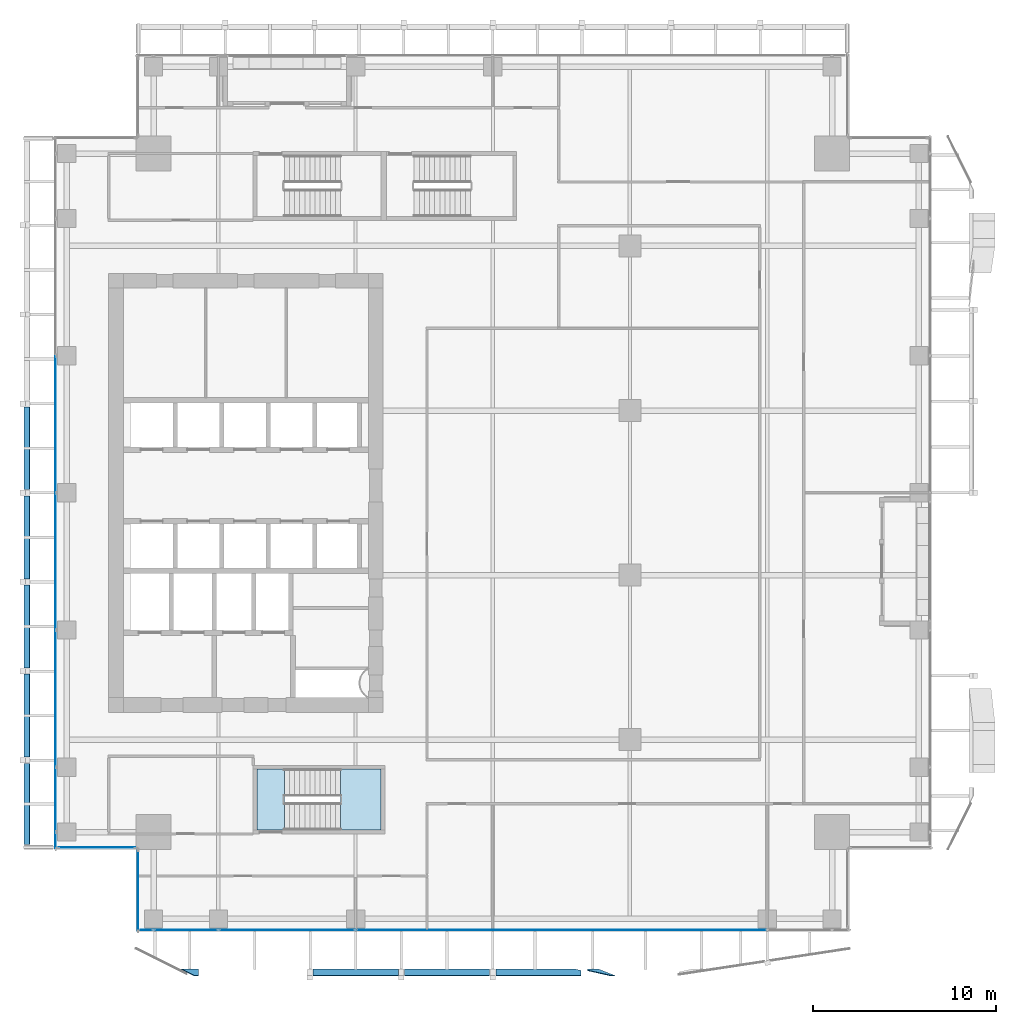
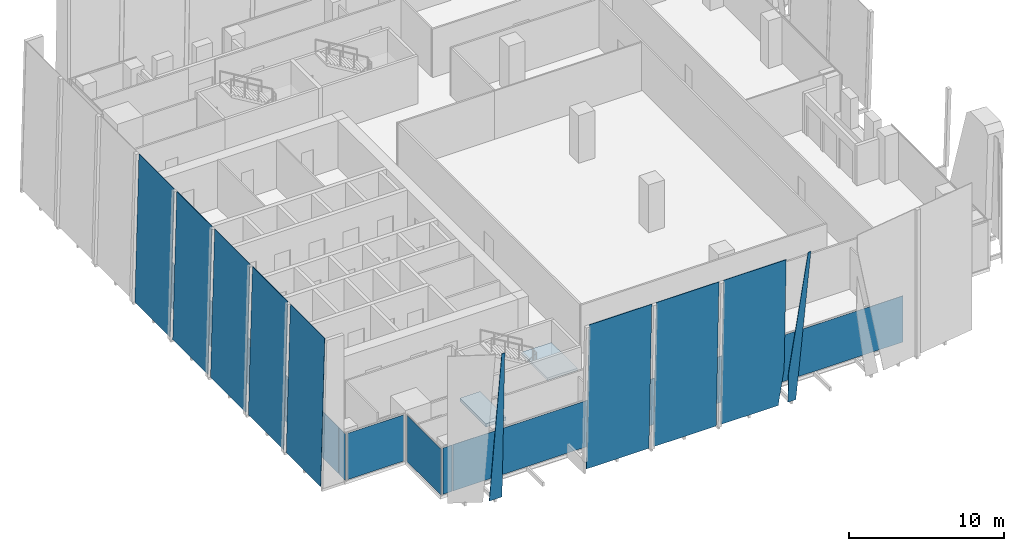
# One storey, part 23 of 35: 21 plates, 2 slabs, 5 elements without a shape of their own.
"""IFC4 building model written with IfcOpenShell, lengths in metres."""

from ifc_helpers import new_model, si_unit, direction, frame, origin, origin_2d, place, context, subcontext, project, spatial, polyline, rectangle, outline, extrude, source, transform, mapped, material, layer, layer_set, type_object, element, aggregate, save


model = new_model("IFC4")

# Units and contexts
model_context = context("Model", 3, precision=1e-05, world=origin(), true_north=direction((0.0, 1.0)))
body_context = subcontext(model_context, "Body", "Model", "MODEL_VIEW")
ifc_project = project(units=[si_unit("LENGTHUNIT", "METRE"), si_unit("AREAUNIT", "SQUARE_METRE"), si_unit("VOLUMEUNIT", "CUBIC_METRE"), si_unit("PLANEANGLEUNIT", "RADIAN"), si_unit("MASSUNIT", "GRAM", prefix="KILO")], contexts=[model_context])

# Site, building, storey
site_placement = place(None, origin())
site = spatial("IfcSite", under=ifc_project, at=site_placement, CompositionType="ELEMENT")
building_placement = place(site_placement, origin())
building = spatial("IfcBuilding", under=site, at=building_placement, Name="Khomas Fold Tower", CompositionType="ELEMENT")
storey_placement = place(building_placement, frame((0.0, 0.0, 200.699951171875)))
storey = spatial("IfcBuildingStorey", under=building, at=storey_placement, Name="L44", CompositionType="ELEMENT", Elevation=200.699951171875)

# Plates
ifc_material_1 = material(Name="Clear laminated glass", Category="glass")
ifc_layer_1 = layer(ifc_material_1, 0.0400390625)
ifc_layer_set_1 = layer_set([ifc_layer_1], Name="Clear laminated glass")
plate_type_1 = type_object("IfcPlateType", Name="SK-Clear laminated glass leaf", PredefinedType="SHEET", material=ifc_layer_set_1)
plate_1_placement = place(storey_placement, frame((10.89990234375, 0.97314453125, 0.0), z_axis=(0.0, 0.999510363794, 0.031289497744), x_axis=(-1.0, 0.0, 0.0)))
element("IfcPlate", 1, at=plate_1_placement, inside=storey, type_object=plate_type_1, Name="OUTER SKIN glass L44 SG099-1", PredefinedType="SHEET", context=body_context, shape_type="SweptSolid", body=[
    extrude(outline(polyline([(0.0, 0.0), (0.945556640625, 0.0), (0.222412109375, 11.555706920623285), (0.0, 11.555706920623285), (0.0, 0.0)])), origin(), (0.0, 0.0, -1.0), 0.0400390625),
])
plate_2_placement = place(storey_placement, frame((32.75146484375, 0.97314453125, 0.0), z_axis=(-4.6493361e-05, 0.999510199681, 0.031294705162), x_axis=(-0.999999998919, -4.6470589e-05, -1.454996e-06)))
element("IfcPlate", 2, at=plate_2_placement, inside=storey, type_object=plate_type_1, Name="OUTER SKIN glass L44 SG104-3", PredefinedType="SHEET", context=body_context, shape_type="SweptSolid", body=[
    extrude(outline(polyline([(0.0, 0.0), (0.5815429681214589, 0.0), (0.5815429698176228, 2.315832700406469), (-0.7133789082781139, 11.555706920466452), (-0.9165039080585731, 11.555706920466452), (0.0, 0.0)])), origin(), (0.0, 0.0, -1.0), 0.0400390625),
])
for number, where, z_axis, x_axis, name in (
    (3, (17.169921875, 0.97314453125, 0.0), (0.0, 0.999510363794, 0.031289497744), (0.0, -0.031289497744, 0.999510363794), "OUTER SKIN glass L44 SG101-5"),
    (4, (22.169921875, 0.97314453125, 0.0), (0.0, 0.999510363794, 0.031289497744), (0.0, -0.031289497744, 0.999510363794), "OUTER SKIN glass L44 SG102-7"),
):
    element("IfcPlate", number, at=place(storey_placement, frame(where, z_axis=z_axis, x_axis=x_axis)), inside=storey, type_object=plate_type_1, Name=name, PredefinedType="SHEET", context=body_context, shape_type="SweptSolid", body=[
        extrude(outline(polyline([(0.0, 0.0), (11.555706920623285, 0.0), (11.555706920623285, 4.66015625), (0.0, 4.66015625), (0.0, 0.0)])), origin(), (0.0, 0.0, -1.0), 0.0400390625),
    ])
plate_3_placement = place(storey_placement, frame((31.44140625, 0.97314453125, 0.0), z_axis=(1.9909684e-05, 0.999510384548, 0.031288828411), x_axis=(-0.999999999802, 1.9899936e-05, 6.22951e-07)))
element("IfcPlate", 5, at=plate_3_placement, inside=storey, type_object=plate_type_1, Name="OUTER SKIN glass L44 SG103-9", PredefinedType="SHEET", context=body_context, shape_type="SweptSolid", body=[
    extrude(outline(polyline([(0.0, 0.0), (4.271484374153402, 0.0), (4.271484373999334, 11.555706920620695), (-0.38867187507703393, 11.555706920620695), (-0.38867187861749614, 2.771870768803917), (0.0, 0.0)])), origin(), (0.0, 0.0, -1.0), 0.0400390625),
])
plate_4_placement = place(storey_placement, frame((1.357666015625, 7.77001953125, 0.0009765625), z_axis=(-0.999657230839, 0.0, 0.026180543005), x_axis=(0.0, 1.0, 0.0)))
element("IfcPlate", 6, at=plate_4_placement, inside=storey, type_object=plate_type_1, Name="OUTER SKIN glass L44 W1", PredefinedType="SHEET", context=body_context, shape_type="SweptSolid", body=[
    extrude(outline(polyline([(0.0, 0.0), (4.43505859375, 0.0), (4.43505859375, -11.554009186164079), (0.0, -11.554009186164079), (0.0, 0.0)])), origin(), (0.0, 0.0, -1.0), 0.0400390625),
])
for number, where, z_axis, x_axis, name in (
    (7, (1.357666015625, 12.544921875, 0.0009765625), (-0.999657230839, 0.0, 0.026180543005), (0.0, 1.0, 0.0), "OUTER SKIN glass L44 W3"),
    (8, (1.357666015625, 17.419921875, 0.0009765625), (-0.999657230839, 0.0, 0.026180543005), (0.0, 1.0, 0.0), "OUTER SKIN glass L44 W5"),
    (9, (1.357666015625, 22.294921875, 0.0009765625), (-0.999657230839, 0.0, 0.026180543005), (0.0, 1.0, 0.0), "OUTER SKIN glass L44 W7"),
    (10, (1.357666015625, 27.169921875, 0.0009765625), (-0.999657230839, 0.0, 0.026180543005), (0.0, 1.0, 0.0), "OUTER SKIN glass L44 W9"),
):
    element("IfcPlate", number, at=place(storey_placement, frame(where, z_axis=z_axis, x_axis=x_axis)), inside=storey, type_object=plate_type_1, Name=name, PredefinedType="SHEET", context=body_context, shape_type="SweptSolid", body=[
        extrude(outline(polyline([(0.0, 0.0), (4.53515625, 0.0), (4.53515625, -11.554009186164079), (0.0, -11.554009186164079), (0.0, 0.0)])), origin(), (0.0, 0.0, -1.0), 0.0400390625),
    ])

# Curtain wall, plate
ifc_material_2 = material(Name="Aluminium framed double glazing", Category="aluminium")
curtain_wall_type = type_object("IfcCurtainWallType", Name="SK-Unitised clear-glass wall, office floors CW2", PredefinedType="NOTDEFINED", material=ifc_material_2)
curtain_wall_1_placement = place(storey_placement, origin())
curtain_wall_1 = element("IfcCurtainWall", 11, at=curtain_wall_1_placement, inside=storey, type_object=curtain_wall_type, Name="CW2 corner return L44 11", PredefinedType="NOTDEFINED")
ifc_material_3 = material(Name="Clear double glazed unit")
ifc_layer_2 = layer(ifc_material_3, 0.030029296875)
ifc_layer_set_2 = layer_set([ifc_layer_2], Name="Clear double glazed unit")
plate_type_2 = type_object("IfcPlateType", Name="SK-Unitised clear-glass wall, office floors glass panel CW2-P", PredefinedType="CURTAIN_PANEL", material=ifc_layer_set_2)
shared_shape_1 = source(origin(), body_context, "Body", "SweptSolid", [
    extrude(rectangle(XDim=4.3798828125, YDim=0.030029296875, at=origin_2d()), origin(), (0.0, 0.0, 1.0), 3.639892578125),
])
plate_5_placement = place(storey_placement, frame((7.60009765625, 5.25, 0.0), z_axis=(0.0, 0.0, 1.0), x_axis=(0.0, -1.0, 0.0)))
plate_5 = element("IfcPlate", 12, at=plate_5_placement, type_object=plate_type_2, Name="CW2 glass panel 1", PredefinedType="CURTAIN_PANEL", context=body_context, shape_type="MappedRepresentation", body=[
    mapped(shared_shape_1, transform((0.0, 0.0, 0.0))),
])
aggregate(curtain_wall_1, [plate_5])

# Curtain wall, plates
curtain_wall_2_placement = place(storey_placement, origin())
curtain_wall_2 = element("IfcCurtainWall", 13, at=curtain_wall_2_placement, inside=storey, type_object=curtain_wall_type, Name="CW2 run L44 00-0", PredefinedType="NOTDEFINED")
shared_shape_2 = source(origin(), body_context, "Body", "SweptSolid", [
    extrude(rectangle(XDim=0.659912109375, YDim=0.030029296875, at=origin_2d()), origin(), (0.0, 0.0, 1.0), 3.639892578125),
])
plate_6_placement = place(storey_placement, frame((8.090087890625, 3.10009765625, 0.0), z_axis=(0.0, 0.0, 1.0), x_axis=(1.0, 0.0, 0.0)))
plate_6 = element("IfcPlate", 14, at=plate_6_placement, type_object=plate_type_2, Name="CW2 glass panel 1", PredefinedType="CURTAIN_PANEL", context=body_context, shape_type="MappedRepresentation", body=[
    mapped(shared_shape_2, transform((0.0, 0.0, 0.0))),
])
shared_shape_3 = source(origin(), body_context, "Body", "SweptSolid", [
    extrude(rectangle(XDim=3.489990234375, YDim=0.030029296875, at=origin_2d()), origin(), (0.0, 0.0, 1.0), 3.639892578125),
])
plate_7_placement = place(storey_placement, frame((10.22509765625, 3.10009765625, 0.0), z_axis=(0.0, 0.0, 1.0), x_axis=(1.0, 0.0, 0.0)))
plate_7 = element("IfcPlate", 15, at=plate_7_placement, type_object=plate_type_2, Name="CW2 glass panel 2", PredefinedType="CURTAIN_PANEL", context=body_context, shape_type="MappedRepresentation", body=[
    mapped(shared_shape_3, transform((0.0, 0.0, 0.0))),
])

# Curtain wall, plate
curtain_wall_3_placement = place(storey_placement, origin())
curtain_wall_3 = element("IfcCurtainWall", 16, at=curtain_wall_3_placement, inside=storey, type_object=curtain_wall_type, Name="CW2 run L44 09-0", PredefinedType="NOTDEFINED")
plate_8_placement = place(storey_placement, frame((3.10009765625, 10.22509765625, 0.0), z_axis=(0.0, 0.0, 1.0), x_axis=(0.0, -1.0, 0.0)))
plate_8 = element("IfcPlate", 17, at=plate_8_placement, type_object=plate_type_2, Name="CW2 glass panel 7", PredefinedType="CURTAIN_PANEL", context=body_context, shape_type="MappedRepresentation", body=[
    mapped(shared_shape_3, transform((0.0, 0.0, 0.0))),
])

# Plate
shared_shape_4 = source(origin(), body_context, "Body", "SweptSolid", [
    extrude(rectangle(XDim=7.43994140625, YDim=0.030029296875, at=origin_2d()), origin(), (0.0, 0.0, 1.0), 3.639892578125),
])
plate_9_placement = place(storey_placement, frame((15.75, 3.10009765625, 0.0), z_axis=(0.0, 0.0, 1.0), x_axis=(1.0, 0.0, 0.0)))
plate_9 = element("IfcPlate", 18, at=plate_9_placement, type_object=plate_type_2, Name="CW2 glass panel 3", PredefinedType="CURTAIN_PANEL", context=body_context, shape_type="MappedRepresentation", body=[
    mapped(shared_shape_4, transform((0.0, 0.0, 0.0))),
])

plate_10_placement = place(storey_placement, frame((3.10009765625, 30.75, 0.0), z_axis=(0.0, 0.0, 1.0), x_axis=(0.0, -1.0, 0.0)))
plate_10 = element("IfcPlate", 19, at=plate_10_placement, type_object=plate_type_2, Name="CW2 glass panel 4", PredefinedType="CURTAIN_PANEL", context=body_context, shape_type="MappedRepresentation", body=[
    mapped(shared_shape_4, transform((0.0, 0.0, 0.0))),
])

plate_11_placement = place(storey_placement, frame((3.10009765625, 23.25, 0.0), z_axis=(0.0, 0.0, 1.0), x_axis=(0.0, -1.0, 0.0)))
plate_11 = element("IfcPlate", 20, at=plate_11_placement, type_object=plate_type_2, Name="CW2 glass panel 5", PredefinedType="CURTAIN_PANEL", context=body_context, shape_type="MappedRepresentation", body=[
    mapped(shared_shape_4, transform((0.0, 0.0, 0.0))),
])

plate_12_placement = place(storey_placement, frame((3.10009765625, 15.75, 0.0), z_axis=(0.0, 0.0, 1.0), x_axis=(0.0, -1.0, 0.0)))
plate_12 = element("IfcPlate", 21, at=plate_12_placement, type_object=plate_type_2, Name="CW2 glass panel 6", PredefinedType="CURTAIN_PANEL", context=body_context, shape_type="MappedRepresentation", body=[
    mapped(shared_shape_4, transform((0.0, 0.0, 0.0))),
])

# Curtain wall, plate
curtain_wall_4_placement = place(storey_placement, origin())
curtain_wall_4 = element("IfcCurtainWall", 22, at=curtain_wall_4_placement, inside=storey, type_object=curtain_wall_type, Name="CW2 corner return L44 10", PredefinedType="NOTDEFINED")
shared_shape_5 = source(origin(), body_context, "Body", "SweptSolid", [
    extrude(rectangle(XDim=4.179931640625, YDim=0.030029296875, at=origin_2d()), origin(), (0.0, 0.0, 1.0), 3.639892578125),
])
plate_13_placement = place(storey_placement, frame((5.35009765625, 7.60009765625, 0.0), z_axis=(0.0, 0.0, 1.0), x_axis=(1.0, 0.0, 0.0)))
plate_13 = element("IfcPlate", 23, at=plate_13_placement, type_object=plate_type_2, Name="CW2 glass panel 1", PredefinedType="CURTAIN_PANEL", context=body_context, shape_type="MappedRepresentation", body=[
    mapped(shared_shape_5, transform((0.0, 0.0, 0.0))),
])
aggregate(curtain_wall_4, [plate_13])

# Plate
shared_shape_6 = source(origin(), body_context, "Body", "SweptSolid", [
    extrude(rectangle(XDim=0.860107421875, YDim=0.030029296875, at=origin_2d()), origin(), (0.0, 0.0, 1.0), 3.639892578125),
])
plate_14_placement = place(storey_placement, frame((3.10009765625, 7.989990234375, 0.0), z_axis=(0.0, 0.0, 1.0), x_axis=(0.0, -1.0, 0.0)))
plate_14 = element("IfcPlate", 24, at=plate_14_placement, type_object=plate_type_2, Name="CW2 glass panel 8", PredefinedType="CURTAIN_PANEL", context=body_context, shape_type="MappedRepresentation", body=[
    mapped(shared_shape_6, transform((0.0, 0.0, 0.0))),
])

aggregate(curtain_wall_3, [plate_10, plate_11, plate_12, plate_8, plate_14])

shared_shape_7 = source(origin(), body_context, "Body", "SweptSolid", [
    extrude(rectangle(XDim=22.43994140625, YDim=0.030029296875, at=origin_2d()), origin(), (0.0, 0.0, 1.0), 3.639892578125),
])
plate_15_placement = place(storey_placement, frame((30.75, 3.10009765625, 0.0), z_axis=(0.0, 0.0, 1.0), x_axis=(1.0, 0.0, 0.0)))
plate_15 = element("IfcPlate", 25, at=plate_15_placement, type_object=plate_type_2, Name="CW2 glass panel 4", PredefinedType="CURTAIN_PANEL", context=body_context, shape_type="MappedRepresentation", body=[
    mapped(shared_shape_7, transform((0.0, 0.0, 0.0))),
])

aggregate(curtain_wall_2, [plate_6, plate_7, plate_9, plate_15])

# Stair, slab
ifc_material_4 = material(Name="Concrete C40/50", Category="concrete")
stair_type = type_object("IfcStairType", Name="Stair ST2", PredefinedType="HALF_TURN_STAIR", material=ifc_material_4)
stair_placement = place(storey_placement, origin())
stair = element("IfcStair", 26, at=stair_placement, inside=storey, type_object=stair_type, Name="L44 ST2", PredefinedType="HALF_TURN_STAIR")
ifc_material_5 = material(Name="Concrete C40/50", Category="concrete")
ifc_layer_3 = layer(ifc_material_5, 0.199951171875)
ifc_layer_set_3 = layer_set([ifc_layer_3], Name="Concrete C40/50")
slab_type_1 = type_object("IfcSlabType", Name="Stair landing 200", PredefinedType="LANDING", material=ifc_layer_set_3)
shared_shape_8 = source(origin(), body_context, "Body", "SweptSolid", [
    extrude(outline(polyline([(18.679931640625, 8.550048828125), (20.89990234375, 8.550048828125), (20.89990234375, 11.89990234375), (18.679931640625, 11.89990234375), (18.679931640625, 8.550048828125)])), origin(), (0.0, 0.0, 1.0), 0.199951171875),
])
slab_1_placement = place(storey_placement, frame((0.0, 0.0, 1.800048828125)))
slab_1 = element("IfcSlab", 27, at=slab_1_placement, type_object=slab_type_1, Name="ST2 landing 1", PredefinedType="LANDING", context=body_context, shape_type="MappedRepresentation", body=[
    mapped(shared_shape_8, transform((0.0, 0.0, 0.0))),
])
aggregate(stair, [slab_1])

# Slab
ifc_material_6 = material(Name="Concrete C40/50", Category="concrete")
ifc_layer_4 = layer(ifc_material_6, 0.25)
ifc_layer_set_4 = layer_set([ifc_layer_4], Name="Concrete C40/50")
slab_type_2 = type_object("IfcSlabType", Name="Stair floor landing 250", PredefinedType="LANDING", material=ifc_layer_set_4)
shared_shape_9 = source(origin(), body_context, "Body", "SweptSolid", [
    extrude(outline(polyline([(15.60009765625, 8.550048828125), (14.10009765625, 8.550048828125), (14.10009765625, 11.89990234375), (15.60009765625, 11.89990234375), (15.60009765625, 8.550048828125)])), origin(), (0.0, 0.0, 1.0), 0.25),
])
slab_2_placement = place(storey_placement, frame((0.0, 0.0, -0.25)))
element("IfcSlab", 28, at=slab_2_placement, inside=storey, type_object=slab_type_2, Name="ST2 floor landing", PredefinedType="LANDING", context=body_context, shape_type="MappedRepresentation", body=[
    mapped(shared_shape_9, transform((0.0, 0.0, 0.0))),
])

save(model, "model.ifc")
